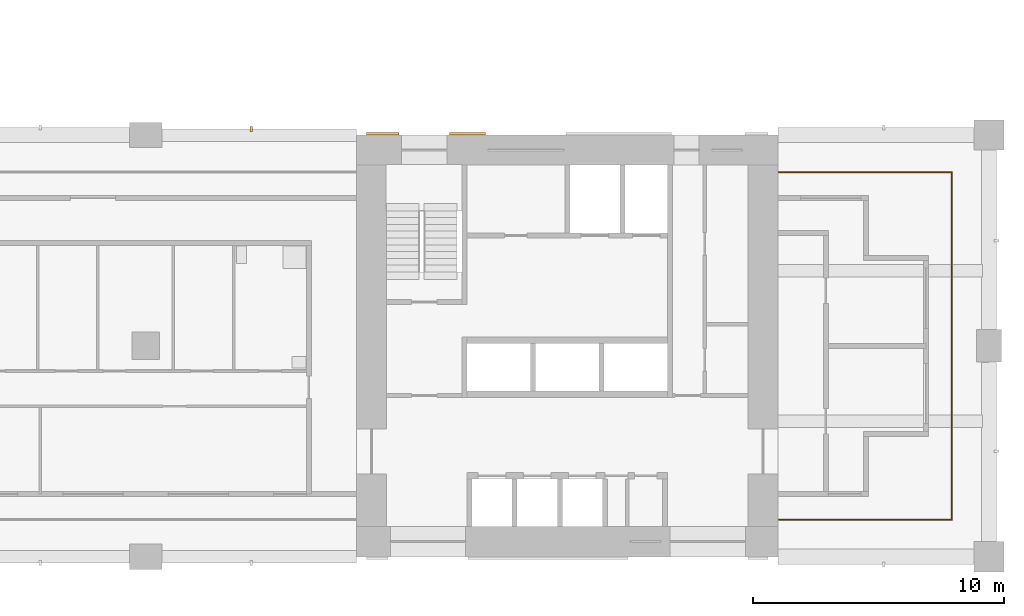
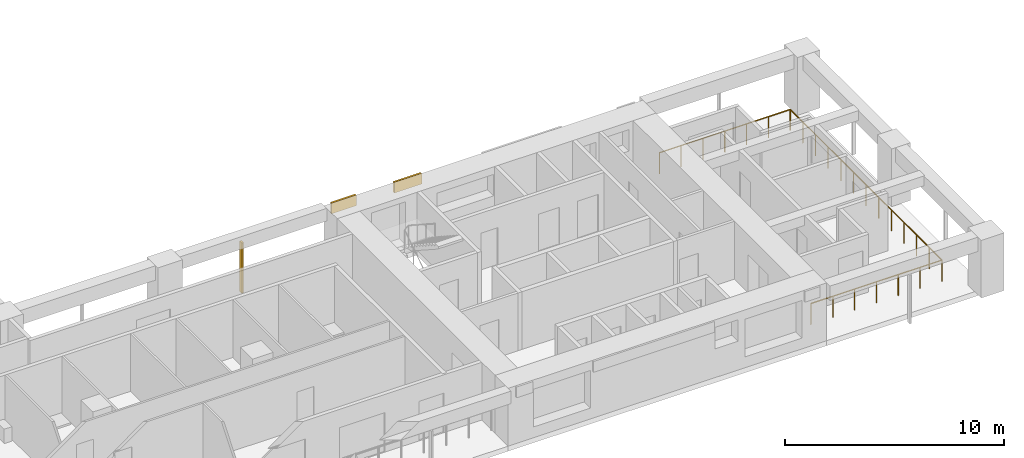
# One storey, part 12 of 16: 3 shading devices, 1 railing.
"""IFC4 building model written with IfcOpenShell, lengths in metres."""

from ifc_helpers import new_model, si_unit, direction, frame, origin, origin_2d, place, context, subcontext, project, spatial, rectangle, circle, extrude, material, layer, layer_set, material_profile, profile_set, type_object, element, save


model = new_model("IFC4")

# Units and contexts
model_context = context("Model", 3, precision=1e-05, world=origin(), true_north=direction((0.0, 1.0)))
body_context = subcontext(model_context, "Body", "Model", "MODEL_VIEW")
ifc_project = project(units=[si_unit("LENGTHUNIT", "METRE"), si_unit("AREAUNIT", "SQUARE_METRE"), si_unit("VOLUMEUNIT", "CUBIC_METRE"), si_unit("PLANEANGLEUNIT", "RADIAN"), si_unit("MASSUNIT", "GRAM", prefix="KILO")], contexts=[model_context])

# Site, building, storey
site_placement = place(None, origin())
site = spatial("IfcSite", under=ifc_project, at=site_placement, CompositionType="ELEMENT")
building_placement = place(site_placement, origin())
building = spatial("IfcBuilding", under=site, at=building_placement, Name="Vermilion Gate Residences", CompositionType="ELEMENT")
storey_placement = place(building_placement, frame((0.0, 0.0, 126.699951171875)))
storey = spatial("IfcBuildingStorey", under=building, at=storey_placement, Name="L32", CompositionType="ELEMENT", Elevation=126.699951171875)

# Railing
ifc_material_1 = material(Name="Stainless steel and toughened glass", Category="steel")
railing_type = type_object("IfcRailingType", Name="LOGGIA GUARD STEEL AND GLASS 1200", PredefinedType="GUARDRAIL", material=ifc_material_1)
railing_placement = place(storey_placement, frame((58.822021484375, 9.875, 0.0)))
element("IfcRailing", 1, at=railing_placement, inside=storey, type_object=railing_type, Name="Loggia guard", PredefinedType="GUARDRAIL", context=body_context, shape_type="SweptSolid", body=[
    extrude(circle(Radius=0.030029296875, at=origin_2d()), frame((0.0, 0.0, 1.169921875), z_axis=(1.0, 0.0, 0.0), x_axis=(0.0, 1.0, 0.0)), (0.0, 0.0, 1.0), 6.903076171875),
    extrude(circle(Radius=0.030029296875, at=origin_2d()), frame((6.903076171875, 0.0, 1.169921875), z_axis=(0.0, 1.0, 0.0), x_axis=(-1.0, 0.0, 0.0)), (0.0, 0.0, 1.0), 13.85009765625),
    extrude(circle(Radius=0.030029296875, at=origin_2d()), frame((6.903076171875, 13.85009765625, 1.169921875), z_axis=(-1.0, 0.0, 0.0), x_axis=(0.0, -1.0, 0.0)), (0.0, 0.0, 1.0), 6.903076171875),
    extrude(circle(Radius=0.02490234375, at=origin_2d()), origin(), (0.0, 0.0, 1.0), 1.139892578125),
    extrude(circle(Radius=0.02490234375, at=origin_2d()), frame((1.150390625, 0.0, 0.0)), (0.0, 0.0, 1.0), 1.139892578125),
    extrude(circle(Radius=0.02490234375, at=origin_2d()), frame((2.301025390625, 0.0, 0.0)), (0.0, 0.0, 1.0), 1.139892578125),
    extrude(circle(Radius=0.02490234375, at=origin_2d()), frame((3.45166015625, 0.0, 0.0)), (0.0, 0.0, 1.0), 1.139892578125),
    extrude(circle(Radius=0.02490234375, at=origin_2d()), frame((4.60205078125, 0.0, 0.0)), (0.0, 0.0, 1.0), 1.139892578125),
    extrude(circle(Radius=0.02490234375, at=origin_2d()), frame((5.75244140625, 0.0, 0.0)), (0.0, 0.0, 1.0), 1.139892578125),
    extrude(circle(Radius=0.02490234375, at=origin_2d()), frame((6.903076171875, 0.0, 0.0)), (0.0, 0.0, 1.0), 1.139892578125),
    extrude(circle(Radius=0.02490234375, at=origin_2d()), frame((6.903076171875, 1.154296875, 0.0)), (0.0, 0.0, 1.0), 1.139892578125),
    extrude(circle(Radius=0.02490234375, at=origin_2d()), frame((6.903076171875, 2.308349609375, 0.0)), (0.0, 0.0, 1.0), 1.139892578125),
    extrude(circle(Radius=0.02490234375, at=origin_2d()), frame((6.903076171875, 3.46240234375, 0.0)), (0.0, 0.0, 1.0), 1.139892578125),
    extrude(circle(Radius=0.02490234375, at=origin_2d()), frame((6.903076171875, 4.61669921875, 0.0)), (0.0, 0.0, 1.0), 1.139892578125),
    extrude(circle(Radius=0.02490234375, at=origin_2d()), frame((6.903076171875, 5.77099609375, 0.0)), (0.0, 0.0, 1.0), 1.139892578125),
    extrude(circle(Radius=0.02490234375, at=origin_2d()), frame((6.903076171875, 6.925048828125, 0.0)), (0.0, 0.0, 1.0), 1.139892578125),
    extrude(circle(Radius=0.02490234375, at=origin_2d()), frame((6.903076171875, 8.0791015625, 0.0)), (0.0, 0.0, 1.0), 1.139892578125),
    extrude(circle(Radius=0.02490234375, at=origin_2d()), frame((6.903076171875, 9.2333984375, 0.0)), (0.0, 0.0, 1.0), 1.139892578125),
    extrude(circle(Radius=0.02490234375, at=origin_2d()), frame((6.903076171875, 10.3876953125, 0.0)), (0.0, 0.0, 1.0), 1.139892578125),
    extrude(circle(Radius=0.02490234375, at=origin_2d()), frame((6.903076171875, 11.541748046875, 0.0)), (0.0, 0.0, 1.0), 1.139892578125),
    extrude(circle(Radius=0.02490234375, at=origin_2d()), frame((6.903076171875, 12.69580078125, 0.0)), (0.0, 0.0, 1.0), 1.139892578125),
    extrude(circle(Radius=0.02490234375, at=origin_2d()), frame((6.903076171875, 13.85009765625, 0.0)), (0.0, 0.0, 1.0), 1.139892578125),
    extrude(circle(Radius=0.02490234375, at=origin_2d()), frame((5.75244140625, 13.85009765625, 0.0)), (0.0, 0.0, 1.0), 1.139892578125),
    extrude(circle(Radius=0.02490234375, at=origin_2d()), frame((4.60205078125, 13.85009765625, 0.0)), (0.0, 0.0, 1.0), 1.139892578125),
    extrude(circle(Radius=0.02490234375, at=origin_2d()), frame((3.45166015625, 13.85009765625, 0.0)), (0.0, 0.0, 1.0), 1.139892578125),
    extrude(circle(Radius=0.02490234375, at=origin_2d()), frame((2.301025390625, 13.85009765625, 0.0)), (0.0, 0.0, 1.0), 1.139892578125),
    extrude(circle(Radius=0.02490234375, at=origin_2d()), frame((1.150390625, 13.85009765625, 0.0)), (0.0, 0.0, 1.0), 1.139892578125),
    extrude(circle(Radius=0.02490234375, at=origin_2d()), frame((0.0, 13.85009765625, 0.0)), (0.0, 0.0, 1.0), 1.139892578125),
])

# Shading devices
ifc_material_2 = material(Name="Extruded terracotta", Category="masonry")
ifc_material_profile = material_profile(ifc_material_2, rectangle(XDim=0.199951171875, YDim=0.10009765625, at=origin_2d()), Name="BAGUETTE 100 X 200")
ifc_profile_set = profile_set([ifc_material_profile], Name="Extruded terracotta")
shading_device_type_1 = type_object("IfcShadingDeviceType", Name="TERRACOTTA BAGUETTE 100 X 200", PredefinedType="JALOUSIE", material=ifc_profile_set)
shading_device_1_placement = place(storey_placement, frame((37.800048828125, 25.449951171875, -0.280029296875), z_axis=(0.0, 0.0, 1.0), x_axis=(0.0, -1.0, 0.0)))
element("IfcShadingDevice", 2, at=shading_device_1_placement, inside=storey, type_object=shading_device_type_1, Name="BAGUETTE", PredefinedType="JALOUSIE", context=body_context, shape_type="SweptSolid", body=[
    extrude(rectangle(XDim=0.199951171875, YDim=0.10009765625, at=origin_2d()), origin(), (0.0, 0.0, 1.0), 2.800048828125),
])
ifc_material_3 = material(Name="Extruded terracotta", Category="masonry")
ifc_layer = layer(ifc_material_3, 0.10009765625)
ifc_layer_set = layer_set([ifc_layer], Name="TERRACOTTA SPANDREL BAND 600 X 100")
shading_device_type_2 = type_object("IfcShadingDeviceType", Name="TERRACOTTA SPANDREL BAND 600 X 100", PredefinedType="USERDEFINED", material=ifc_layer_set)
shading_device_2_placement = place(storey_placement, frame((43.050048828125, 25.25, 2.6201171875), z_axis=(0.0, 0.0, 1.0), x_axis=(1.0, 0.0, 0.0)))
element("IfcShadingDevice", 3, at=shading_device_2_placement, inside=storey, type_object=shading_device_type_2, Name="SPANDREL BAND", ObjectType="BAND", PredefinedType="USERDEFINED", context=body_context, shape_type="SweptSolid", body=[
    extrude(rectangle(XDim=1.300048828125, YDim=0.10009765625, at=origin_2d()), origin(), (0.0, 0.0, 1.0), 0.60009765625),
])
shading_device_3_placement = place(storey_placement, frame((46.425048828125, 25.25, 2.6201171875), z_axis=(0.0, 0.0, 1.0), x_axis=(1.0, 0.0, 0.0)))
element("IfcShadingDevice", 4, at=shading_device_3_placement, inside=storey, type_object=shading_device_type_2, Name="SPANDREL BAND", ObjectType="BAND", PredefinedType="USERDEFINED", context=body_context, shape_type="SweptSolid", body=[
    extrude(rectangle(XDim=1.449951171875, YDim=0.10009765625, at=origin_2d()), origin(), (0.0, 0.0, 1.0), 0.60009765625),
])

save(model, "model.ifc")
